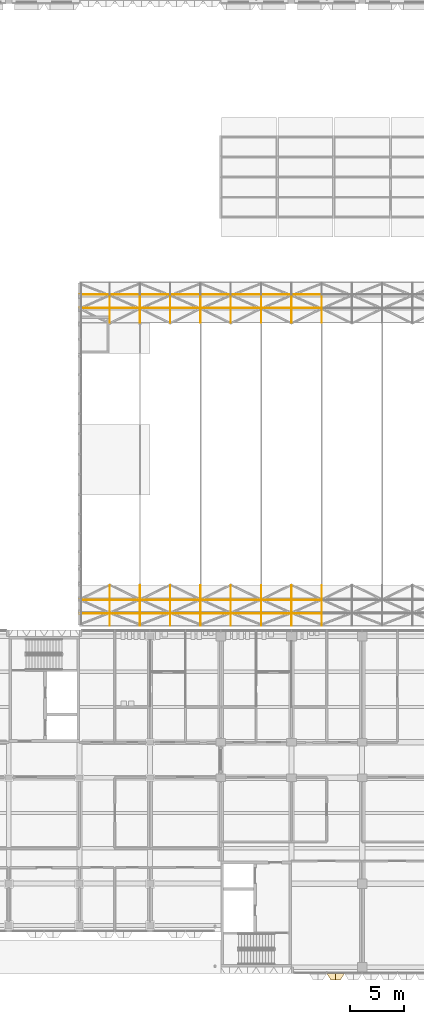
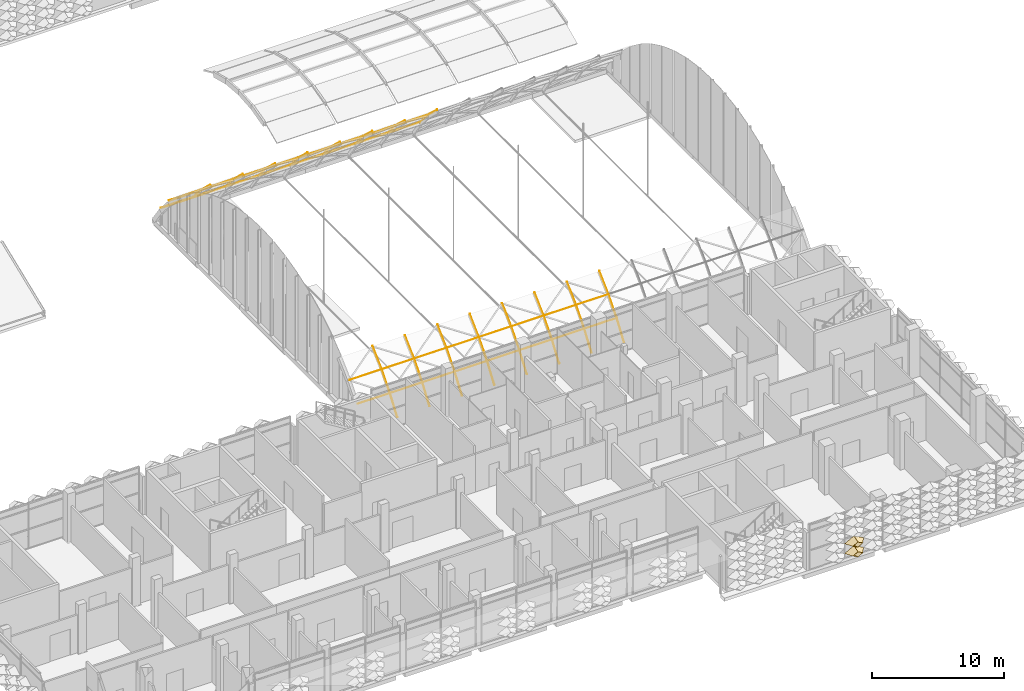
# One storey, part 76 of 109: 74 coverings.
"""IFC4 building model written with IfcOpenShell, lengths in metres."""

import ifcopenshell
import ifcopenshell.guid

model = None  # the IFC model being written
_history = None  # IfcOwnerHistory: only IFC2X3 demands one
_inside = {}  # id of a spatial element -> (the spatial element, [elements in it])
_under = {}  # id of a project, library or spatial element -> (it, [spatial elements below it])
_declared = {}  # id of a project -> (the project, [libraries it declares])
_typed = {}  # id of a type object -> (the type object, [elements of that type])
_made_of = {}  # id of a material, layer set ... -> (it, [elements and type objects made of it])


def new_model(schema):
    """Start an empty IFC model of exactly this schema.

    Asked for "IFC4X3", IfcOpenShell would pick the latest addendum, in which some entities
    have other attributes; the version numbers below select the first issue.
    IFC2X3 requires an IfcOwnerHistory on every rooted entity: one is made here for all.
    """
    global model, _history
    if schema == "IFC4X3":
        model = ifcopenshell.file(schema_version=(4, 3, 0, 0))
    else:
        model = ifcopenshell.file(schema=schema)
    _inside.clear()
    _under.clear()
    _declared.clear()
    _typed.clear()
    _made_of.clear()
    _history = None
    if model.schema == "IFC2X3":
        org = make("IfcOrganization", Name="unknown")
        user = make(
            "IfcPersonAndOrganization",
            ThePerson=make("IfcPerson", FamilyName="unknown"),
            TheOrganization=org,
        )
        app = make(
            "IfcApplication",
            ApplicationDeveloper=org,
            Version="unknown",
            ApplicationFullName="unknown",
            ApplicationIdentifier="unknown",
        )
        _history = make(
            "IfcOwnerHistory",
            OwningUser=user,
            OwningApplication=app,
            ChangeAction="ADDED",
            CreationDate=0,
        )
    return model


def make(cls, **values):
    """One entity of the class cls with the attributes given. An attribute that is None is left unset."""
    return model.create_entity(
        cls, **{name: value for name, value in values.items() if value is not None}
    )


def entity(cls, *values):
    """Any entity or typed value of the class cls, its attributes in the order of the schema. None: left unset."""
    e = model.create_entity(cls)
    for i, value in enumerate(values):
        if value is not None:
            e[i] = value
    return e


def rooted(cls, **values):
    """An entity with a GlobalId (a new one), such as an element, a storey or a relation."""
    return make(cls, GlobalId=ifcopenshell.guid.new(), OwnerHistory=_history, **values)


def si_unit(unit_type, name, prefix=None):
    """IfcSIUnit, for example si_unit("LENGTHUNIT", "METRE", prefix="MILLI")."""
    return make("IfcSIUnit", UnitType=unit_type, Prefix=prefix, Name=name)


def assignment(units):
    """IfcUnitAssignment: the units of a project."""
    return None if units is None else make("IfcUnitAssignment", Units=units)


def point(xyz):
    """IfcCartesianPoint."""
    return None if xyz is None else make("IfcCartesianPoint", Coordinates=xyz)


def direction(xyz):
    """IfcDirection."""
    return None if xyz is None else make("IfcDirection", DirectionRatios=xyz)


def frame(location, z_axis=None, x_axis=None):
    """IfcAxis2Placement3D, a coordinate frame: its origin and axes. An axis left out is left unset."""
    return make(
        "IfcAxis2Placement3D",
        Location=point(location),
        Axis=direction(z_axis),
        RefDirection=direction(x_axis),
    )


def frame_2d(location, x_axis=None):
    """IfcAxis2Placement2D, a coordinate frame in the plane: its origin and x axis."""
    return make(
        "IfcAxis2Placement2D", Location=point(location), RefDirection=direction(x_axis)
    )


def origin():
    """The frame at (0, 0, 0) with its axes left unset."""
    return frame((0.0, 0.0, 0.0))


def origin_2d():
    """The frame at (0, 0) in the plane with its x axis left unset."""
    return frame_2d((0.0, 0.0))


def place(relative_to, where):
    """IfcLocalPlacement: puts the frame where relative to a parent placement (None: the world)."""
    return make(
        "IfcLocalPlacement", PlacementRelTo=relative_to, RelativePlacement=where
    )


def context(
    kind, dimensions, precision=None, world=None, true_north=None, identifier=None
):
    """IfcGeometricRepresentationContext, for example the 3D "Model" context."""
    return make(
        "IfcGeometricRepresentationContext",
        ContextIdentifier=identifier,
        ContextType=kind,
        CoordinateSpaceDimension=dimensions,
        Precision=precision,
        WorldCoordinateSystem=world,
        TrueNorth=true_north,
    )


def subcontext(parent, identifier, kind, view, scale=None):
    """IfcGeometricRepresentationSubContext, for example "Body" below "Model"."""
    return make(
        "IfcGeometricRepresentationSubContext",
        ContextIdentifier=identifier,
        ContextType=kind,
        ParentContext=parent,
        TargetScale=scale,
        TargetView=view,
    )


def project(units=None, contexts=None):
    """IfcProject with its units and contexts."""
    return rooted(
        "IfcProject",
        Name="project",
        RepresentationContexts=contexts,
        UnitsInContext=assignment(units),
    )


def spatial(cls, under=None, at=None, **own):
    """A site, building, storey or space (cls), placed at a placement, below another one or the project."""
    s = rooted(cls, ObjectPlacement=at, **own)
    if under is not None:
        _under.setdefault(under.id(), (under, []))[1].append(s)
    return s


def profile(cls, at=None, kind="AREA", **sizes):
    """A parametric profile (cls). Its sizes go by their IFC names, for example OverallWidth=200.0."""
    return make(cls, ProfileType=kind, Position=at, **sizes)


def rectangle(**sizes):
    """IfcRectangleProfileDef."""
    return profile("IfcRectangleProfileDef", **sizes)


def extrude(swept, where, along, depth):
    """IfcExtrudedAreaSolid: the profile swept, set in the frame where, extruded along a direction by depth."""
    return make(
        "IfcExtrudedAreaSolid",
        SweptArea=swept,
        Position=where,
        ExtrudedDirection=direction(along),
        Depth=depth,
    )


def shape(context_of_items, identifier, shape_type, items):
    """IfcShapeRepresentation: the items that make up one representation, for example the "Body"."""
    return make(
        "IfcShapeRepresentation",
        ContextOfItems=context_of_items,
        RepresentationIdentifier=identifier,
        RepresentationType=shape_type,
        Items=items,
    )


def material(Name=None, Category=None):
    """IfcMaterial."""
    return make("IfcMaterial", Name=Name, Category=Category)


def layer(
    of_material, thickness, ventilated=None, Name=None, Category=None, Priority=None
):
    """IfcMaterialLayer: one layer of a wall or slab, of a material (None: an air gap)."""
    return make(
        "IfcMaterialLayer",
        Material=of_material,
        LayerThickness=thickness,
        IsVentilated=ventilated,
        Name=Name,
        Category=Category,
        Priority=Priority,
    )


def layer_set(layers, Name=None):
    """IfcMaterialLayerSet."""
    return make("IfcMaterialLayerSet", MaterialLayers=layers, LayerSetName=Name)


def material_profile(
    of_material, cross_section, Name=None, Category=None, Priority=None
):
    """IfcMaterialProfile: a cross section and its material."""
    return make(
        "IfcMaterialProfile",
        Name=Name,
        Material=of_material,
        Profile=cross_section,
        Priority=Priority,
        Category=Category,
    )


def profile_set(profiles, Name=None, composite=None):
    """IfcMaterialProfileSet."""
    return make(
        "IfcMaterialProfileSet",
        Name=Name,
        MaterialProfiles=profiles,
        CompositeProfile=composite,
    )


def made_of(thing, what):
    """Note that an element or type object is made of a material, layer set ...; save() writes the relation."""
    if what is not None:
        _made_of.setdefault(what.id(), (what, []))[1].append(thing)
    return thing


def type_object(cls, material=None, **own):
    """A type object (cls), such as IfcWallType, which elements share."""
    return made_of(rooted(cls, **own), material)


def element(
    cls,
    number,
    at=None,
    inside=None,
    cuts=None,
    type_object=None,
    material=None,
    context=None,
    identifier="Body",
    shape_type=None,
    held_by="IfcProductDefinitionShape",
    body=None,
    shapes=None,
    **own,
):
    """One element of the class cls, such as IfcWall. Its Tag is "e" and its number.

    at: its placement. inside: the storey or other place that contains it. cuts: it is an
    opening in that element (IfcRelVoidsElement). A single representation is given by context,
    identifier, shape_type and body (its items); several are given by shapes. held_by: the class
    of the entity that holds the representations. save() writes the other relations.
    """
    e = rooted(cls, Tag="e%d" % number, ObjectPlacement=at, **own)
    if body is not None:
        shapes = [shape(context, identifier, shape_type, body)]
    if shapes is not None:
        e.Representation = make(held_by, Representations=shapes)
    if inside is not None:
        _inside.setdefault(inside.id(), (inside, []))[1].append(e)
    if cuts is not None:
        rooted(
            "IfcRelVoidsElement", RelatingBuildingElement=cuts, RelatedOpeningElement=e
        )
    if type_object is not None:
        _typed.setdefault(type_object.id(), (type_object, []))[1].append(e)
    return made_of(e, material)


def aggregate(whole, parts):
    """IfcRelAggregates: a whole, such as a stair, and the parts it consists of."""
    return rooted("IfcRelAggregates", RelatingObject=whole, RelatedObjects=parts)


def save(model, path):
    """Write the relations noted so far, then the file.

    IfcRelAggregates (storeys below a building ...), IfcRelContainedInSpatialStructure (elements
    in a storey), IfcRelDefinesByType, IfcRelAssociatesMaterial and IfcRelDeclares: one each for
    every whole, place, type object, material and project.
    """
    for whole, parts in _under.values():
        aggregate(whole, parts)
    for where, things in _inside.values():
        rooted(
            "IfcRelContainedInSpatialStructure",
            RelatedElements=things,
            RelatingStructure=where,
        )
    for kind, things in _typed.values():
        rooted("IfcRelDefinesByType", RelatedObjects=things, RelatingType=kind)
    for what, things in _made_of.values():
        rooted("IfcRelAssociatesMaterial", RelatedObjects=things, RelatingMaterial=what)
    for by, libraries in _declared.values():
        rooted("IfcRelDeclares", RelatingContext=by, RelatedDefinitions=libraries)
    model.write(path)


model = new_model("IFC4")

# Units and contexts
model_context = context("Model", 3, precision=1e-05, world=origin(), true_north=direction((0.0, 1.0)))
body_context = subcontext(model_context, "Body", "Model", "MODEL_VIEW")
ifc_project = project(units=[si_unit("LENGTHUNIT", "METRE"), si_unit("AREAUNIT", "SQUARE_METRE"), si_unit("VOLUMEUNIT", "CUBIC_METRE"), si_unit("PLANEANGLEUNIT", "RADIAN"), si_unit("MASSUNIT", "GRAM", prefix="KILO")], contexts=[model_context])

# Site, building, storey
site_placement = place(None, origin())
site = spatial("IfcSite", under=ifc_project, at=site_placement, CompositionType="ELEMENT")
building_placement = place(site_placement, origin())
building = spatial("IfcBuilding", under=site, at=building_placement, Name="Lantern Court Research Institute", CompositionType="ELEMENT")
storey_placement = place(building_placement, frame((0.0, 0.0, 14.39990234375)))
storey = spatial("IfcBuildingStorey", under=building, at=storey_placement, Name="L03", CompositionType="ELEMENT", Elevation=14.39990234375)

# Coverings
ifc_material_1 = material(Name="Anodised aluminium", Category="aluminium")
ifc_layer = layer(ifc_material_1, 0.01611328125)
ifc_layer_set = layer_set([ifc_layer], Name="Anodised aluminium")
covering_type_1 = type_object("IfcCoveringType", Name="Fin cassette 1650 x 900 x 600 aluminium", PredefinedType="CLADDING", material=ifc_layer_set)
covering_1_placement = place(storey_placement, frame((63.52490234375, -8.39990234375, 0.4501953125), z_axis=(0.0, -1.0, 0.0), x_axis=(1.0, 0.0, 0.0)))
cartesian_point_1 = entity("IfcCartesianPoint", [0.824951171875, 0.0])
cartesian_point_2 = entity("IfcCartesianPoint", [0.79150390625, 0.0])
cartesian_point_3 = entity("IfcCartesianPoint", [0.44189453125, 0.0])
cartesian_point_4 = entity("IfcCartesianPoint", [0.43359375, 0.0])
element("IfcCovering", 1, at=covering_1_placement, inside=storey, type_object=covering_type_1, Name="Fin cassette V5S-L03 1.39", PredefinedType="CLADDING", context=body_context, shape_type="SweptSolid", body=[
    entity("IfcExtrudedAreaSolidTapered", entity("IfcArbitraryProfileDefWithVoids", "AREA", None, entity("IfcPolyline", [cartesian_point_1, entity("IfcCartesianPoint", [0.0, 0.449951171875]), entity("IfcCartesianPoint", [-0.824951171875, 0.0]), entity("IfcCartesianPoint", [0.0, -0.449951171875]), cartesian_point_1]), [entity("IfcPolyline", [cartesian_point_2, entity("IfcCartesianPoint", [0.0, 0.431884765625]), entity("IfcCartesianPoint", [-0.79150390625, 0.0]), entity("IfcCartesianPoint", [0.0, -0.431884765625]), cartesian_point_2])]), entity("IfcAxis2Placement3D", entity("IfcCartesianPoint", [0.0, 0.0, 0.0])), entity("IfcDirection", [0.0, 0.0, 1.0]), 0.60009765625, entity("IfcArbitraryProfileDefWithVoids", "AREA", None, entity("IfcPolyline", [cartesian_point_3, entity("IfcCartesianPoint", [0.0, 0.240966796875]), entity("IfcCartesianPoint", [-0.44189453125, 0.0]), entity("IfcCartesianPoint", [0.0, -0.240966796875]), cartesian_point_3]), [entity("IfcPolyline", [cartesian_point_4, entity("IfcCartesianPoint", [0.0, 0.236572265625]), entity("IfcCartesianPoint", [-0.43359375, 0.0]), entity("IfcCartesianPoint", [0.0, -0.236572265625]), cartesian_point_4])])),
])
covering_2_placement = place(storey_placement, frame((63.52490234375, -8.39990234375, 1.35009765625), z_axis=(0.0, -1.0, 0.0), x_axis=(1.0, 0.0, 0.0)))
cartesian_point_5 = entity("IfcCartesianPoint", [0.824951171875, 0.0])
cartesian_point_6 = entity("IfcCartesianPoint", [0.79150390625, 0.0])
cartesian_point_7 = entity("IfcCartesianPoint", [0.44189453125, 0.0])
cartesian_point_8 = entity("IfcCartesianPoint", [0.43359375, 0.0])
element("IfcCovering", 2, at=covering_2_placement, inside=storey, type_object=covering_type_1, Name="Fin cassette V5S-L03 2.39", PredefinedType="CLADDING", context=body_context, shape_type="SweptSolid", body=[
    entity("IfcExtrudedAreaSolidTapered", entity("IfcArbitraryProfileDefWithVoids", "AREA", None, entity("IfcPolyline", [cartesian_point_5, entity("IfcCartesianPoint", [0.0, 0.449951171875]), entity("IfcCartesianPoint", [-0.824951171875, 0.0]), entity("IfcCartesianPoint", [0.0, -0.449951171875]), cartesian_point_5]), [entity("IfcPolyline", [cartesian_point_6, entity("IfcCartesianPoint", [0.0, 0.431884765625]), entity("IfcCartesianPoint", [-0.79150390625, 0.0]), entity("IfcCartesianPoint", [0.0, -0.431884765625]), cartesian_point_6])]), entity("IfcAxis2Placement3D", entity("IfcCartesianPoint", [0.0, 0.0, 0.0])), entity("IfcDirection", [0.0, 0.0, 1.0]), 0.60009765625, entity("IfcArbitraryProfileDefWithVoids", "AREA", None, entity("IfcPolyline", [cartesian_point_7, entity("IfcCartesianPoint", [0.0, 0.240966796875]), entity("IfcCartesianPoint", [-0.44189453125, 0.0]), entity("IfcCartesianPoint", [0.0, -0.240966796875]), cartesian_point_7]), [entity("IfcPolyline", [cartesian_point_8, entity("IfcCartesianPoint", [0.0, 0.236572265625]), entity("IfcCartesianPoint", [-0.43359375, 0.0]), entity("IfcCartesianPoint", [0.0, -0.236572265625]), cartesian_point_8])])),
])
ifc_material_2 = material(Name="Aluminium alloy 6063-T6", Category="aluminium")
ifc_material_profile = material_profile(ifc_material_2, rectangle(XDim=0.01806640625, YDim=0.052001953125, at=origin_2d()), Name="Joint cover bar 18 x 52")
ifc_profile_set = profile_set([ifc_material_profile], Name="Aluminium alloy 6063-T6")
covering_type_2 = type_object("IfcCoveringType", Name="Joint cover bar 18 x 52", PredefinedType="MOLDING", material=ifc_profile_set)
for number, where, z_axis, x_axis, name in (
    (3, (39.610107421875, 25.225830078125, 1.970947265625), (1.0, 0.0, 0.0), (0.0, 0.616657332959, 0.787231689979), "Joint cover bar"),
    (4, (39.610107421875, 26.474609375, 3.40966796875), (1.0, 0.0, 0.0), (0.0, 0.692674230917, 0.721250587399), "Joint cover bar"),
    (5, (39.610107421875, 53.775390625, 3.40966796875), (1.0, 0.0, 0.0), (0.0, 0.692674230917, -0.721250587399), "Joint cover bar"),
    (6, (39.610107421875, 55.024169921875, 1.970947265625), (1.0, 0.0, 0.0), (0.0, 0.616657332959, -0.787231689979), "Joint cover bar"),
):
    element("IfcCovering", number, at=place(storey_placement, frame(where, z_axis=z_axis, x_axis=x_axis)), inside=storey, type_object=covering_type_2, Name=name, PredefinedType="MOLDING", context=body_context, shape_type="SweptSolid", body=[
        extrude(rectangle(XDim=0.01806640625, YDim=0.052001953125, at=origin_2d()), origin(), (0.0, 0.0, 1.0), 2.808349609375),
    ])
for number, where, z_axis, x_axis, name in (
    (7, (42.428466796875, 24.128662109375, 0.4150390625), (0.0, 0.576275057404, 0.817255809532), (-1.0, 0.0, 0.0), "Joint cover bar"),
    (8, (42.428466796875, 25.2265625, 1.971923828125), (0.0, 0.655492193344, 0.755201949458), (-1.0, 0.0, 0.0), "Joint cover bar"),
):
    element("IfcCovering", number, at=place(storey_placement, frame(where, z_axis=z_axis, x_axis=x_axis)), inside=storey, type_object=covering_type_2, Name=name, PredefinedType="MOLDING", context=body_context, shape_type="SweptSolid", body=[
        extrude(rectangle(XDim=0.01806640625, YDim=0.052001953125, at=origin_2d()), origin(), (0.0, 0.0, 1.0), 1.902587890625),
    ])
covering_3_placement = place(storey_placement, frame((42.4384765625, 25.225830078125, 1.970947265625), z_axis=(1.0, 0.0, 0.0), x_axis=(0.0, 0.616657332959, 0.787231689979)))
element("IfcCovering", 9, at=covering_3_placement, inside=storey, type_object=covering_type_2, Name="Joint cover bar", PredefinedType="MOLDING", context=body_context, shape_type="SweptSolid", body=[
    extrude(rectangle(XDim=0.01806640625, YDim=0.052001953125, at=origin_2d()), origin(), (0.0, 0.0, 1.0), 2.80859375),
])
covering_4_placement = place(storey_placement, frame((42.428466796875, 26.4755859375, 3.41064453125), z_axis=(0.0, 0.728090715138, 0.685480787864), x_axis=(-1.0, 0.0, 0.0)))
element("IfcCovering", 10, at=covering_4_placement, inside=storey, type_object=covering_type_2, Name="Joint cover bar", PredefinedType="MOLDING", context=body_context, shape_type="SweptSolid", body=[
    extrude(rectangle(XDim=0.01806640625, YDim=0.052001953125, at=origin_2d()), origin(), (0.0, 0.0, 1.0), 1.90234375),
])
covering_5_placement = place(storey_placement, frame((42.4384765625, 26.474609375, 3.40966796875), z_axis=(1.0, 0.0, 0.0), x_axis=(0.0, 0.692674230917, 0.721250587399)))
element("IfcCovering", 11, at=covering_5_placement, inside=storey, type_object=covering_type_2, Name="Joint cover bar", PredefinedType="MOLDING", context=body_context, shape_type="SweptSolid", body=[
    extrude(rectangle(XDim=0.01806640625, YDim=0.052001953125, at=origin_2d()), origin(), (0.0, 0.0, 1.0), 2.80859375),
])
covering_6_placement = place(storey_placement, frame((42.428466796875, 52.389404296875, 4.714599609375), z_axis=(0.0, 0.728090715138, -0.685480787864), x_axis=(-1.0, 0.0, 0.0)))
element("IfcCovering", 12, at=covering_6_placement, inside=storey, type_object=covering_type_2, Name="Joint cover bar", PredefinedType="MOLDING", context=body_context, shape_type="SweptSolid", body=[
    extrude(rectangle(XDim=0.01806640625, YDim=0.052001953125, at=origin_2d()), origin(), (0.0, 0.0, 1.0), 1.90234375),
])
covering_7_placement = place(storey_placement, frame((42.428466796875, 53.7763671875, 3.40869140625), z_axis=(0.0, 0.655492193344, -0.755201949458), x_axis=(-1.0, 0.0, 0.0)))
element("IfcCovering", 13, at=covering_7_placement, inside=storey, type_object=covering_type_2, Name="Joint cover bar", PredefinedType="MOLDING", context=body_context, shape_type="SweptSolid", body=[
    extrude(rectangle(XDim=0.01806640625, YDim=0.052001953125, at=origin_2d()), origin(), (0.0, 0.0, 1.0), 1.902587890625),
])
for number, where, z_axis, x_axis, name in (
    (14, (42.4384765625, 53.775390625, 3.40966796875), (1.0, 0.0, 0.0), (0.0, 0.692674230917, -0.721250587399), "Joint cover bar"),
    (15, (42.4384765625, 55.024169921875, 1.970947265625), (1.0, 0.0, 0.0), (0.0, 0.616657332959, -0.787231689979), "Joint cover bar"),
):
    element("IfcCovering", number, at=place(storey_placement, frame(where, z_axis=z_axis, x_axis=x_axis)), inside=storey, type_object=covering_type_2, Name=name, PredefinedType="MOLDING", context=body_context, shape_type="SweptSolid", body=[
        extrude(rectangle(XDim=0.01806640625, YDim=0.052001953125, at=origin_2d()), origin(), (0.0, 0.0, 1.0), 2.80859375),
    ])
for number, where, z_axis, x_axis, name in (
    (16, (45.257080078125, 24.128662109375, 0.4150390625), (0.0, 0.576275057404, 0.817255809532), (-1.0, 0.0, 0.0), "Joint cover bar"),
    (17, (45.257080078125, 25.2265625, 1.971923828125), (0.0, 0.655492193344, 0.755201949458), (-1.0, 0.0, 0.0), "Joint cover bar"),
):
    element("IfcCovering", number, at=place(storey_placement, frame(where, z_axis=z_axis, x_axis=x_axis)), inside=storey, type_object=covering_type_2, Name=name, PredefinedType="MOLDING", context=body_context, shape_type="SweptSolid", body=[
        extrude(rectangle(XDim=0.01806640625, YDim=0.052001953125, at=origin_2d()), origin(), (0.0, 0.0, 1.0), 1.902587890625),
    ])
covering_8_placement = place(storey_placement, frame((45.26708984375, 25.225830078125, 1.970947265625), z_axis=(1.0, 0.0, 0.0), x_axis=(0.0, 0.616657332959, 0.787231689979)))
element("IfcCovering", 18, at=covering_8_placement, inside=storey, type_object=covering_type_2, Name="Joint cover bar", PredefinedType="MOLDING", context=body_context, shape_type="SweptSolid", body=[
    extrude(rectangle(XDim=0.01806640625, YDim=0.052001953125, at=origin_2d()), origin(), (0.0, 0.0, 1.0), 2.80859375),
])
covering_9_placement = place(storey_placement, frame((45.257080078125, 26.4755859375, 3.41064453125), z_axis=(0.0, 0.728090715138, 0.685480787864), x_axis=(-1.0, 0.0, 0.0)))
element("IfcCovering", 19, at=covering_9_placement, inside=storey, type_object=covering_type_2, Name="Joint cover bar", PredefinedType="MOLDING", context=body_context, shape_type="SweptSolid", body=[
    extrude(rectangle(XDim=0.01806640625, YDim=0.052001953125, at=origin_2d()), origin(), (0.0, 0.0, 1.0), 1.90234375),
])
covering_10_placement = place(storey_placement, frame((45.26708984375, 26.474609375, 3.40966796875), z_axis=(1.0, 0.0, 0.0), x_axis=(0.0, 0.692674230917, 0.721250587399)))
element("IfcCovering", 20, at=covering_10_placement, inside=storey, type_object=covering_type_2, Name="Joint cover bar", PredefinedType="MOLDING", context=body_context, shape_type="SweptSolid", body=[
    extrude(rectangle(XDim=0.01806640625, YDim=0.052001953125, at=origin_2d()), origin(), (0.0, 0.0, 1.0), 2.80859375),
])
covering_11_placement = place(storey_placement, frame((45.257080078125, 52.389404296875, 4.714599609375), z_axis=(0.0, 0.728090715138, -0.685480787864), x_axis=(-1.0, 0.0, 0.0)))
element("IfcCovering", 21, at=covering_11_placement, inside=storey, type_object=covering_type_2, Name="Joint cover bar", PredefinedType="MOLDING", context=body_context, shape_type="SweptSolid", body=[
    extrude(rectangle(XDim=0.01806640625, YDim=0.052001953125, at=origin_2d()), origin(), (0.0, 0.0, 1.0), 1.90234375),
])
covering_12_placement = place(storey_placement, frame((45.257080078125, 53.7763671875, 3.40869140625), z_axis=(0.0, 0.655492193344, -0.755201949458), x_axis=(-1.0, 0.0, 0.0)))
element("IfcCovering", 22, at=covering_12_placement, inside=storey, type_object=covering_type_2, Name="Joint cover bar", PredefinedType="MOLDING", context=body_context, shape_type="SweptSolid", body=[
    extrude(rectangle(XDim=0.01806640625, YDim=0.052001953125, at=origin_2d()), origin(), (0.0, 0.0, 1.0), 1.902587890625),
])
for number, where, z_axis, x_axis, name in (
    (23, (45.26708984375, 53.775390625, 3.40966796875), (1.0, 0.0, 0.0), (0.0, 0.692674230917, -0.721250587399), "Joint cover bar"),
    (24, (45.26708984375, 55.024169921875, 1.970947265625), (1.0, 0.0, 0.0), (0.0, 0.616657332959, -0.787231689979), "Joint cover bar"),
):
    element("IfcCovering", number, at=place(storey_placement, frame(where, z_axis=z_axis, x_axis=x_axis)), inside=storey, type_object=covering_type_2, Name=name, PredefinedType="MOLDING", context=body_context, shape_type="SweptSolid", body=[
        extrude(rectangle(XDim=0.01806640625, YDim=0.052001953125, at=origin_2d()), origin(), (0.0, 0.0, 1.0), 2.80859375),
    ])
for number, where, z_axis, x_axis, name in (
    (25, (48.085693359375, 24.128662109375, 0.4150390625), (0.0, 0.576275057404, 0.817255809532), (-1.0, 0.0, 0.0), "Joint cover bar"),
    (26, (48.085693359375, 25.2265625, 1.971923828125), (0.0, 0.655492193344, 0.755201949458), (-1.0, 0.0, 0.0), "Joint cover bar"),
):
    element("IfcCovering", number, at=place(storey_placement, frame(where, z_axis=z_axis, x_axis=x_axis)), inside=storey, type_object=covering_type_2, Name=name, PredefinedType="MOLDING", context=body_context, shape_type="SweptSolid", body=[
        extrude(rectangle(XDim=0.01806640625, YDim=0.052001953125, at=origin_2d()), origin(), (0.0, 0.0, 1.0), 1.902587890625),
    ])
covering_13_placement = place(storey_placement, frame((48.095703125, 25.225830078125, 1.970947265625), z_axis=(1.0, 0.0, 0.0), x_axis=(0.0, 0.616657332959, 0.787231689979)))
element("IfcCovering", 27, at=covering_13_placement, inside=storey, type_object=covering_type_2, Name="Joint cover bar", PredefinedType="MOLDING", context=body_context, shape_type="SweptSolid", body=[
    extrude(rectangle(XDim=0.01806640625, YDim=0.052001953125, at=origin_2d()), origin(), (0.0, 0.0, 1.0), 2.80859375),
])
covering_14_placement = place(storey_placement, frame((48.085693359375, 26.4755859375, 3.41064453125), z_axis=(0.0, 0.728090715138, 0.685480787864), x_axis=(-1.0, 0.0, 0.0)))
element("IfcCovering", 28, at=covering_14_placement, inside=storey, type_object=covering_type_2, Name="Joint cover bar", PredefinedType="MOLDING", context=body_context, shape_type="SweptSolid", body=[
    extrude(rectangle(XDim=0.01806640625, YDim=0.052001953125, at=origin_2d()), origin(), (0.0, 0.0, 1.0), 1.90234375),
])
covering_15_placement = place(storey_placement, frame((48.095703125, 26.474609375, 3.40966796875), z_axis=(1.0, 0.0, 0.0), x_axis=(0.0, 0.692674230917, 0.721250587399)))
element("IfcCovering", 29, at=covering_15_placement, inside=storey, type_object=covering_type_2, Name="Joint cover bar", PredefinedType="MOLDING", context=body_context, shape_type="SweptSolid", body=[
    extrude(rectangle(XDim=0.01806640625, YDim=0.052001953125, at=origin_2d()), origin(), (0.0, 0.0, 1.0), 2.80859375),
])
covering_16_placement = place(storey_placement, frame((48.085693359375, 52.389404296875, 4.714599609375), z_axis=(0.0, 0.728090715138, -0.685480787864), x_axis=(-1.0, 0.0, 0.0)))
element("IfcCovering", 30, at=covering_16_placement, inside=storey, type_object=covering_type_2, Name="Joint cover bar", PredefinedType="MOLDING", context=body_context, shape_type="SweptSolid", body=[
    extrude(rectangle(XDim=0.01806640625, YDim=0.052001953125, at=origin_2d()), origin(), (0.0, 0.0, 1.0), 1.90234375),
])
covering_17_placement = place(storey_placement, frame((48.085693359375, 53.7763671875, 3.40869140625), z_axis=(0.0, 0.655492193344, -0.755201949458), x_axis=(-1.0, 0.0, 0.0)))
element("IfcCovering", 31, at=covering_17_placement, inside=storey, type_object=covering_type_2, Name="Joint cover bar", PredefinedType="MOLDING", context=body_context, shape_type="SweptSolid", body=[
    extrude(rectangle(XDim=0.01806640625, YDim=0.052001953125, at=origin_2d()), origin(), (0.0, 0.0, 1.0), 1.902587890625),
])
for number, where, z_axis, x_axis, name in (
    (32, (48.095703125, 53.775390625, 3.40966796875), (1.0, 0.0, 0.0), (0.0, 0.692674230917, -0.721250587399), "Joint cover bar"),
    (33, (48.095703125, 55.024169921875, 1.970947265625), (1.0, 0.0, 0.0), (0.0, 0.616657332959, -0.787231689979), "Joint cover bar"),
):
    element("IfcCovering", number, at=place(storey_placement, frame(where, z_axis=z_axis, x_axis=x_axis)), inside=storey, type_object=covering_type_2, Name=name, PredefinedType="MOLDING", context=body_context, shape_type="SweptSolid", body=[
        extrude(rectangle(XDim=0.01806640625, YDim=0.052001953125, at=origin_2d()), origin(), (0.0, 0.0, 1.0), 2.80859375),
    ])
for number, where, z_axis, x_axis, name in (
    (34, (50.914306640625, 24.128662109375, 0.4150390625), (0.0, 0.576275057404, 0.817255809532), (-1.0, 0.0, 0.0), "Joint cover bar"),
    (35, (50.914306640625, 25.2265625, 1.971923828125), (0.0, 0.655492193344, 0.755201949458), (-1.0, 0.0, 0.0), "Joint cover bar"),
):
    element("IfcCovering", number, at=place(storey_placement, frame(where, z_axis=z_axis, x_axis=x_axis)), inside=storey, type_object=covering_type_2, Name=name, PredefinedType="MOLDING", context=body_context, shape_type="SweptSolid", body=[
        extrude(rectangle(XDim=0.01806640625, YDim=0.052001953125, at=origin_2d()), origin(), (0.0, 0.0, 1.0), 1.902587890625),
    ])
covering_18_placement = place(storey_placement, frame((50.92431640625, 25.225830078125, 1.970947265625), z_axis=(1.0, 0.0, 0.0), x_axis=(0.0, 0.616657332959, 0.787231689979)))
element("IfcCovering", 36, at=covering_18_placement, inside=storey, type_object=covering_type_2, Name="Joint cover bar", PredefinedType="MOLDING", context=body_context, shape_type="SweptSolid", body=[
    extrude(rectangle(XDim=0.01806640625, YDim=0.052001953125, at=origin_2d()), origin(), (0.0, 0.0, 1.0), 2.80859375),
])
covering_19_placement = place(storey_placement, frame((50.914306640625, 26.4755859375, 3.41064453125), z_axis=(0.0, 0.728090715138, 0.685480787864), x_axis=(-1.0, 0.0, 0.0)))
element("IfcCovering", 37, at=covering_19_placement, inside=storey, type_object=covering_type_2, Name="Joint cover bar", PredefinedType="MOLDING", context=body_context, shape_type="SweptSolid", body=[
    extrude(rectangle(XDim=0.01806640625, YDim=0.052001953125, at=origin_2d()), origin(), (0.0, 0.0, 1.0), 1.90234375),
])
covering_20_placement = place(storey_placement, frame((50.92431640625, 26.474609375, 3.40966796875), z_axis=(1.0, 0.0, 0.0), x_axis=(0.0, 0.692674230917, 0.721250587399)))
element("IfcCovering", 38, at=covering_20_placement, inside=storey, type_object=covering_type_2, Name="Joint cover bar", PredefinedType="MOLDING", context=body_context, shape_type="SweptSolid", body=[
    extrude(rectangle(XDim=0.01806640625, YDim=0.052001953125, at=origin_2d()), origin(), (0.0, 0.0, 1.0), 2.80859375),
])
covering_21_placement = place(storey_placement, frame((50.914306640625, 52.389404296875, 4.714599609375), z_axis=(0.0, 0.728090715138, -0.685480787864), x_axis=(-1.0, 0.0, 0.0)))
element("IfcCovering", 39, at=covering_21_placement, inside=storey, type_object=covering_type_2, Name="Joint cover bar", PredefinedType="MOLDING", context=body_context, shape_type="SweptSolid", body=[
    extrude(rectangle(XDim=0.01806640625, YDim=0.052001953125, at=origin_2d()), origin(), (0.0, 0.0, 1.0), 1.90234375),
])
covering_22_placement = place(storey_placement, frame((50.914306640625, 53.7763671875, 3.40869140625), z_axis=(0.0, 0.655492193344, -0.755201949458), x_axis=(-1.0, 0.0, 0.0)))
element("IfcCovering", 40, at=covering_22_placement, inside=storey, type_object=covering_type_2, Name="Joint cover bar", PredefinedType="MOLDING", context=body_context, shape_type="SweptSolid", body=[
    extrude(rectangle(XDim=0.01806640625, YDim=0.052001953125, at=origin_2d()), origin(), (0.0, 0.0, 1.0), 1.902587890625),
])
for number, where, z_axis, x_axis, name in (
    (41, (50.92431640625, 53.775390625, 3.40966796875), (1.0, 0.0, 0.0), (0.0, 0.692674230917, -0.721250587399), "Joint cover bar"),
    (42, (50.92431640625, 55.024169921875, 1.970947265625), (1.0, 0.0, 0.0), (0.0, 0.616657332959, -0.787231689979), "Joint cover bar"),
):
    element("IfcCovering", number, at=place(storey_placement, frame(where, z_axis=z_axis, x_axis=x_axis)), inside=storey, type_object=covering_type_2, Name=name, PredefinedType="MOLDING", context=body_context, shape_type="SweptSolid", body=[
        extrude(rectangle(XDim=0.01806640625, YDim=0.052001953125, at=origin_2d()), origin(), (0.0, 0.0, 1.0), 2.80859375),
    ])
for number, where, z_axis, x_axis, name in (
    (43, (53.742919921875, 24.128662109375, 0.4150390625), (0.0, 0.576275057404, 0.817255809532), (-1.0, 0.0, 0.0), "Joint cover bar"),
    (44, (53.742919921875, 25.2265625, 1.971923828125), (0.0, 0.655492193344, 0.755201949458), (-1.0, 0.0, 0.0), "Joint cover bar"),
):
    element("IfcCovering", number, at=place(storey_placement, frame(where, z_axis=z_axis, x_axis=x_axis)), inside=storey, type_object=covering_type_2, Name=name, PredefinedType="MOLDING", context=body_context, shape_type="SweptSolid", body=[
        extrude(rectangle(XDim=0.01806640625, YDim=0.052001953125, at=origin_2d()), origin(), (0.0, 0.0, 1.0), 1.902587890625),
    ])
covering_23_placement = place(storey_placement, frame((53.7529296875, 25.225830078125, 1.970947265625), z_axis=(1.0, 0.0, 0.0), x_axis=(0.0, 0.616657332959, 0.787231689979)))
element("IfcCovering", 45, at=covering_23_placement, inside=storey, type_object=covering_type_2, Name="Joint cover bar", PredefinedType="MOLDING", context=body_context, shape_type="SweptSolid", body=[
    extrude(rectangle(XDim=0.01806640625, YDim=0.052001953125, at=origin_2d()), origin(), (0.0, 0.0, 1.0), 2.80859375),
])
covering_24_placement = place(storey_placement, frame((53.742919921875, 26.4755859375, 3.41064453125), z_axis=(0.0, 0.728090715138, 0.685480787864), x_axis=(-1.0, 0.0, 0.0)))
element("IfcCovering", 46, at=covering_24_placement, inside=storey, type_object=covering_type_2, Name="Joint cover bar", PredefinedType="MOLDING", context=body_context, shape_type="SweptSolid", body=[
    extrude(rectangle(XDim=0.01806640625, YDim=0.052001953125, at=origin_2d()), origin(), (0.0, 0.0, 1.0), 1.90234375),
])
covering_25_placement = place(storey_placement, frame((53.7529296875, 26.474609375, 3.40966796875), z_axis=(1.0, 0.0, 0.0), x_axis=(0.0, 0.692674230917, 0.721250587399)))
element("IfcCovering", 47, at=covering_25_placement, inside=storey, type_object=covering_type_2, Name="Joint cover bar", PredefinedType="MOLDING", context=body_context, shape_type="SweptSolid", body=[
    extrude(rectangle(XDim=0.01806640625, YDim=0.052001953125, at=origin_2d()), origin(), (0.0, 0.0, 1.0), 2.80859375),
])
covering_26_placement = place(storey_placement, frame((53.742919921875, 52.389404296875, 4.714599609375), z_axis=(0.0, 0.728090715138, -0.685480787864), x_axis=(-1.0, 0.0, 0.0)))
element("IfcCovering", 48, at=covering_26_placement, inside=storey, type_object=covering_type_2, Name="Joint cover bar", PredefinedType="MOLDING", context=body_context, shape_type="SweptSolid", body=[
    extrude(rectangle(XDim=0.01806640625, YDim=0.052001953125, at=origin_2d()), origin(), (0.0, 0.0, 1.0), 1.90234375),
])
covering_27_placement = place(storey_placement, frame((53.742919921875, 53.7763671875, 3.40869140625), z_axis=(0.0, 0.655492193344, -0.755201949458), x_axis=(-1.0, 0.0, 0.0)))
element("IfcCovering", 49, at=covering_27_placement, inside=storey, type_object=covering_type_2, Name="Joint cover bar", PredefinedType="MOLDING", context=body_context, shape_type="SweptSolid", body=[
    extrude(rectangle(XDim=0.01806640625, YDim=0.052001953125, at=origin_2d()), origin(), (0.0, 0.0, 1.0), 1.902587890625),
])
for number, where, z_axis, x_axis, name in (
    (50, (53.7529296875, 53.775390625, 3.40966796875), (1.0, 0.0, 0.0), (0.0, 0.692674230917, -0.721250587399), "Joint cover bar"),
    (51, (53.7529296875, 55.024169921875, 1.970947265625), (1.0, 0.0, 0.0), (0.0, 0.616657332959, -0.787231689979), "Joint cover bar"),
):
    element("IfcCovering", number, at=place(storey_placement, frame(where, z_axis=z_axis, x_axis=x_axis)), inside=storey, type_object=covering_type_2, Name=name, PredefinedType="MOLDING", context=body_context, shape_type="SweptSolid", body=[
        extrude(rectangle(XDim=0.01806640625, YDim=0.052001953125, at=origin_2d()), origin(), (0.0, 0.0, 1.0), 2.80859375),
    ])
for number, where, z_axis, x_axis, name in (
    (52, (56.571533203125, 24.128662109375, 0.4150390625), (0.0, 0.576275057404, 0.817255809532), (-1.0, 0.0, 0.0), "Joint cover bar"),
    (53, (56.571533203125, 25.2265625, 1.971923828125), (0.0, 0.655492193344, 0.755201949458), (-1.0, 0.0, 0.0), "Joint cover bar"),
):
    element("IfcCovering", number, at=place(storey_placement, frame(where, z_axis=z_axis, x_axis=x_axis)), inside=storey, type_object=covering_type_2, Name=name, PredefinedType="MOLDING", context=body_context, shape_type="SweptSolid", body=[
        extrude(rectangle(XDim=0.01806640625, YDim=0.052001953125, at=origin_2d()), origin(), (0.0, 0.0, 1.0), 1.902587890625),
    ])
covering_28_placement = place(storey_placement, frame((56.58154296875, 25.225830078125, 1.970947265625), z_axis=(1.0, 0.0, 0.0), x_axis=(0.0, 0.616657332959, 0.787231689979)))
element("IfcCovering", 54, at=covering_28_placement, inside=storey, type_object=covering_type_2, Name="Joint cover bar", PredefinedType="MOLDING", context=body_context, shape_type="SweptSolid", body=[
    extrude(rectangle(XDim=0.01806640625, YDim=0.052001953125, at=origin_2d()), origin(), (0.0, 0.0, 1.0), 2.808349609375),
])
covering_29_placement = place(storey_placement, frame((56.571533203125, 26.4755859375, 3.41064453125), z_axis=(0.0, 0.728090715138, 0.685480787864), x_axis=(-1.0, 0.0, 0.0)))
element("IfcCovering", 55, at=covering_29_placement, inside=storey, type_object=covering_type_2, Name="Joint cover bar", PredefinedType="MOLDING", context=body_context, shape_type="SweptSolid", body=[
    extrude(rectangle(XDim=0.01806640625, YDim=0.052001953125, at=origin_2d()), origin(), (0.0, 0.0, 1.0), 1.90234375),
])
covering_30_placement = place(storey_placement, frame((56.58154296875, 26.474609375, 3.40966796875), z_axis=(1.0, 0.0, 0.0), x_axis=(0.0, 0.692674230917, 0.721250587399)))
element("IfcCovering", 56, at=covering_30_placement, inside=storey, type_object=covering_type_2, Name="Joint cover bar", PredefinedType="MOLDING", context=body_context, shape_type="SweptSolid", body=[
    extrude(rectangle(XDim=0.01806640625, YDim=0.052001953125, at=origin_2d()), origin(), (0.0, 0.0, 1.0), 2.808349609375),
])
covering_31_placement = place(storey_placement, frame((56.571533203125, 52.389404296875, 4.714599609375), z_axis=(0.0, 0.728090715138, -0.685480787864), x_axis=(-1.0, 0.0, 0.0)))
element("IfcCovering", 57, at=covering_31_placement, inside=storey, type_object=covering_type_2, Name="Joint cover bar", PredefinedType="MOLDING", context=body_context, shape_type="SweptSolid", body=[
    extrude(rectangle(XDim=0.01806640625, YDim=0.052001953125, at=origin_2d()), origin(), (0.0, 0.0, 1.0), 1.90234375),
])
covering_32_placement = place(storey_placement, frame((56.571533203125, 53.7763671875, 3.40869140625), z_axis=(0.0, 0.655492193344, -0.755201949458), x_axis=(-1.0, 0.0, 0.0)))
element("IfcCovering", 58, at=covering_32_placement, inside=storey, type_object=covering_type_2, Name="Joint cover bar", PredefinedType="MOLDING", context=body_context, shape_type="SweptSolid", body=[
    extrude(rectangle(XDim=0.01806640625, YDim=0.052001953125, at=origin_2d()), origin(), (0.0, 0.0, 1.0), 1.902587890625),
])
for number, where, z_axis, x_axis, name in (
    (59, (56.58154296875, 53.775390625, 3.40966796875), (1.0, 0.0, 0.0), (0.0, 0.692674230917, -0.721250587399), "Joint cover bar"),
    (60, (56.58154296875, 55.024169921875, 1.970947265625), (1.0, 0.0, 0.0), (0.0, 0.616657332959, -0.787231689979), "Joint cover bar"),
):
    element("IfcCovering", number, at=place(storey_placement, frame(where, z_axis=z_axis, x_axis=x_axis)), inside=storey, type_object=covering_type_2, Name=name, PredefinedType="MOLDING", context=body_context, shape_type="SweptSolid", body=[
        extrude(rectangle(XDim=0.01806640625, YDim=0.052001953125, at=origin_2d()), origin(), (0.0, 0.0, 1.0), 2.808349609375),
    ])
for number, where, z_axis, x_axis, name in (
    (61, (59.39990234375, 24.128662109375, 0.4150390625), (0.0, 0.576275057404, 0.817255809532), (-1.0, 0.0, 0.0), "Joint cover bar"),
    (62, (59.39990234375, 25.2265625, 1.971923828125), (0.0, 0.655492193344, 0.755201949458), (-1.0, 0.0, 0.0), "Joint cover bar"),
):
    element("IfcCovering", number, at=place(storey_placement, frame(where, z_axis=z_axis, x_axis=x_axis)), inside=storey, type_object=covering_type_2, Name=name, PredefinedType="MOLDING", context=body_context, shape_type="SweptSolid", body=[
        extrude(rectangle(XDim=0.01806640625, YDim=0.052001953125, at=origin_2d()), origin(), (0.0, 0.0, 1.0), 1.902587890625),
    ])
covering_33_placement = place(storey_placement, frame((59.409912109375, 25.225830078125, 1.970947265625), z_axis=(1.0, 0.0, 0.0), x_axis=(0.0, 0.616657332959, 0.787231689979)))
element("IfcCovering", 63, at=covering_33_placement, inside=storey, type_object=covering_type_2, Name="Joint cover bar", PredefinedType="MOLDING", context=body_context, shape_type="SweptSolid", body=[
    extrude(rectangle(XDim=0.01806640625, YDim=0.052001953125, at=origin_2d()), origin(), (0.0, 0.0, 1.0), 2.80859375),
])
covering_34_placement = place(storey_placement, frame((59.39990234375, 26.4755859375, 3.41064453125), z_axis=(0.0, 0.728090715138, 0.685480787864), x_axis=(-1.0, 0.0, 0.0)))
element("IfcCovering", 64, at=covering_34_placement, inside=storey, type_object=covering_type_2, Name="Joint cover bar", PredefinedType="MOLDING", context=body_context, shape_type="SweptSolid", body=[
    extrude(rectangle(XDim=0.01806640625, YDim=0.052001953125, at=origin_2d()), origin(), (0.0, 0.0, 1.0), 1.90234375),
])
covering_35_placement = place(storey_placement, frame((59.409912109375, 26.474609375, 3.40966796875), z_axis=(1.0, 0.0, 0.0), x_axis=(0.0, 0.692674230917, 0.721250587399)))
element("IfcCovering", 65, at=covering_35_placement, inside=storey, type_object=covering_type_2, Name="Joint cover bar", PredefinedType="MOLDING", context=body_context, shape_type="SweptSolid", body=[
    extrude(rectangle(XDim=0.01806640625, YDim=0.052001953125, at=origin_2d()), origin(), (0.0, 0.0, 1.0), 2.80859375),
])
covering_36_placement = place(storey_placement, frame((59.39990234375, 52.389404296875, 4.714599609375), z_axis=(0.0, 0.728090715138, -0.685480787864), x_axis=(-1.0, 0.0, 0.0)))
element("IfcCovering", 66, at=covering_36_placement, inside=storey, type_object=covering_type_2, Name="Joint cover bar", PredefinedType="MOLDING", context=body_context, shape_type="SweptSolid", body=[
    extrude(rectangle(XDim=0.01806640625, YDim=0.052001953125, at=origin_2d()), origin(), (0.0, 0.0, 1.0), 1.90234375),
])
covering_37_placement = place(storey_placement, frame((59.39990234375, 53.7763671875, 3.40869140625), z_axis=(0.0, 0.655492193344, -0.755201949458), x_axis=(-1.0, 0.0, 0.0)))
element("IfcCovering", 67, at=covering_37_placement, inside=storey, type_object=covering_type_2, Name="Joint cover bar", PredefinedType="MOLDING", context=body_context, shape_type="SweptSolid", body=[
    extrude(rectangle(XDim=0.01806640625, YDim=0.052001953125, at=origin_2d()), origin(), (0.0, 0.0, 1.0), 1.902587890625),
])
for number, where, z_axis, x_axis, name in (
    (68, (59.409912109375, 53.775390625, 3.40966796875), (1.0, 0.0, 0.0), (0.0, 0.692674230917, -0.721250587399), "Joint cover bar"),
    (69, (59.409912109375, 55.024169921875, 1.970947265625), (1.0, 0.0, 0.0), (0.0, 0.616657332959, -0.787231689979), "Joint cover bar"),
):
    element("IfcCovering", number, at=place(storey_placement, frame(where, z_axis=z_axis, x_axis=x_axis)), inside=storey, type_object=covering_type_2, Name=name, PredefinedType="MOLDING", context=body_context, shape_type="SweptSolid", body=[
        extrude(rectangle(XDim=0.01806640625, YDim=0.052001953125, at=origin_2d()), origin(), (0.0, 0.0, 1.0), 2.80859375),
    ])
for number, where, z_axis, x_axis, name in (
    (70, (62.228515625, 24.128662109375, 0.4150390625), (0.0, 0.576275057404, 0.817255809532), (-1.0, 0.0, 0.0), "Joint cover bar"),
    (71, (62.228515625, 25.2265625, 1.971923828125), (0.0, 0.655492193344, 0.755201949458), (-1.0, 0.0, 0.0), "Joint cover bar"),
):
    element("IfcCovering", number, at=place(storey_placement, frame(where, z_axis=z_axis, x_axis=x_axis)), inside=storey, type_object=covering_type_2, Name=name, PredefinedType="MOLDING", context=body_context, shape_type="SweptSolid", body=[
        extrude(rectangle(XDim=0.01806640625, YDim=0.052001953125, at=origin_2d()), origin(), (0.0, 0.0, 1.0), 1.902587890625),
    ])
for number, where, z_axis, x_axis, name in (
    (72, (62.228515625, 26.4755859375, 3.41064453125), (0.0, 0.728090715138, 0.685480787864), (-1.0, 0.0, 0.0), "Joint cover bar"),
    (73, (62.228515625, 52.389404296875, 4.714599609375), (0.0, 0.728090715138, -0.685480787864), (-1.0, 0.0, 0.0), "Joint cover bar"),
):
    element("IfcCovering", number, at=place(storey_placement, frame(where, z_axis=z_axis, x_axis=x_axis)), inside=storey, type_object=covering_type_2, Name=name, PredefinedType="MOLDING", context=body_context, shape_type="SweptSolid", body=[
        extrude(rectangle(XDim=0.01806640625, YDim=0.052001953125, at=origin_2d()), origin(), (0.0, 0.0, 1.0), 1.90234375),
    ])
covering_38_placement = place(storey_placement, frame((62.228515625, 53.7763671875, 3.40869140625), z_axis=(0.0, 0.655492193344, -0.755201949458), x_axis=(-1.0, 0.0, 0.0)))
element("IfcCovering", 74, at=covering_38_placement, inside=storey, type_object=covering_type_2, Name="Joint cover bar", PredefinedType="MOLDING", context=body_context, shape_type="SweptSolid", body=[
    extrude(rectangle(XDim=0.01806640625, YDim=0.052001953125, at=origin_2d()), origin(), (0.0, 0.0, 1.0), 1.902587890625),
])

save(model, "model.ifc")
